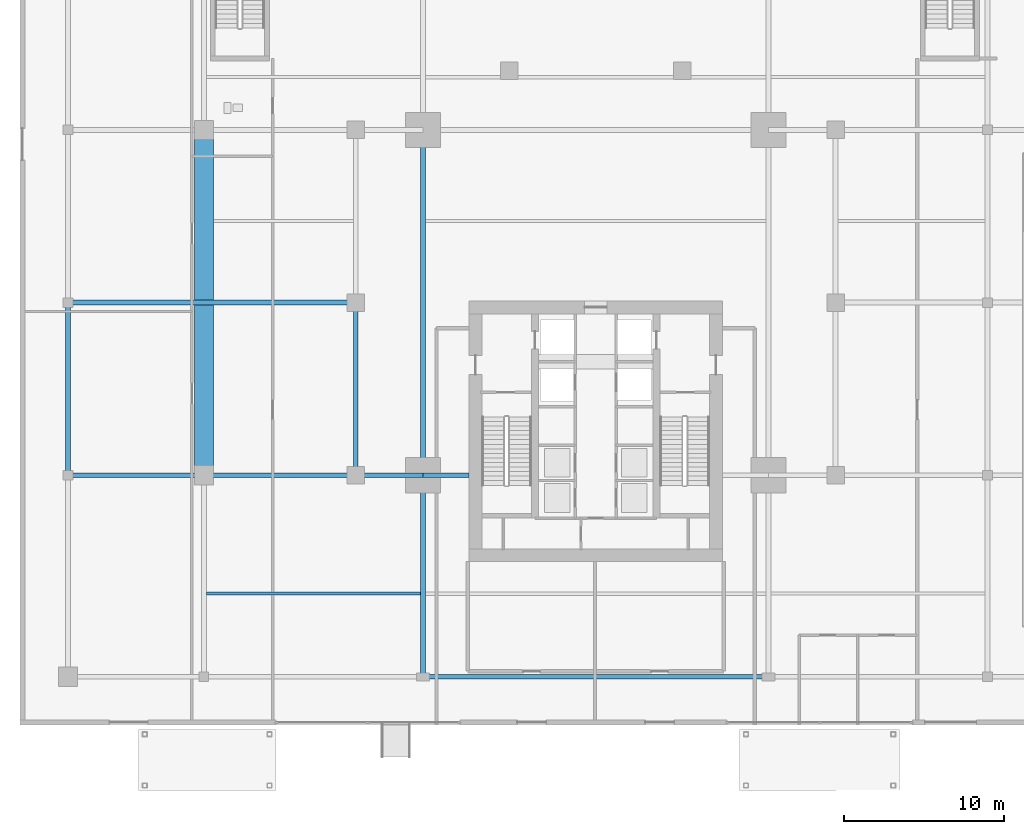
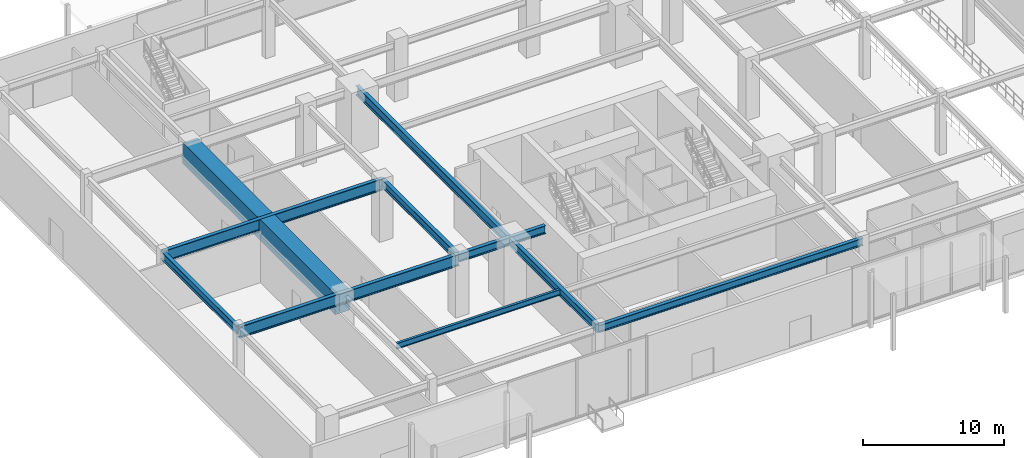
# One storey, part 9 of 28: 11 beams.
"""IFC4 building model written with IfcOpenShell, lengths in metres."""

from ifc_helpers import new_model, si_unit, direction, frame, origin, origin_2d, place, context, subcontext, project, spatial, rectangle, i_section, extrude, source, transform, mapped, material, material_profile, profile_set, type_object, type_shapes, element, save


model = new_model("IFC4")

# Units and contexts
model_context = context("Model", 3, precision=1e-05, world=origin(), true_north=direction((0.0, 1.0)))
body_context = subcontext(model_context, "Body", "Model", "MODEL_VIEW")
ifc_project = project(units=[si_unit("LENGTHUNIT", "METRE"), si_unit("AREAUNIT", "SQUARE_METRE"), si_unit("VOLUMEUNIT", "CUBIC_METRE"), si_unit("PLANEANGLEUNIT", "RADIAN"), si_unit("MASSUNIT", "GRAM", prefix="KILO")], contexts=[model_context])

# Site, building, storey
site_placement = place(None, origin())
site = spatial("IfcSite", under=ifc_project, at=site_placement, CompositionType="ELEMENT")
building_placement = place(site_placement, origin())
building = spatial("IfcBuilding", under=site, at=building_placement, Name="Krantzveldt Concourse Tower", CompositionType="ELEMENT")
storey_placement = place(building_placement, origin())
storey = spatial("IfcBuildingStorey", under=building, at=storey_placement, Name="L00", CompositionType="ELEMENT", Elevation=0.0)

# Beams
ifc_material_1 = material(Name="Steel S355J2", Category="steel")
ifc_material_profile_1 = material_profile(ifc_material_1, i_section(OverallWidth=0.300048828125, OverallDepth=0.800048828125, WebThickness=0.017578125, FlangeThickness=0.032958984375, FilletRadius=0.030029296875, at=origin_2d()), Name="Steel S355J2", Category="steel")
ifc_profile_set_1 = profile_set([ifc_material_profile_1], Name="Steel S355J2 - HEB 800")
beam_type_1 = type_object("IfcBeamType", Name="BM-B-HEB800", PredefinedType="BEAM", material=ifc_profile_set_1)
shared_shape_1 = source(origin(), body_context, "Body", "SweptSolid", [
    extrude(i_section(OverallWidth=0.300048828125, OverallDepth=0.800048828125, WebThickness=0.017578125, FlangeThickness=0.032958984375, FilletRadius=0.030029296875, at=origin_2d()), origin(), (0.0, 0.0, 1.0), 21.60009765625),
])
type_shapes(beam_type_1, [shared_shape_1])
beam_1_placement = place(storey_placement, frame((25.199951171875, 15.89990234375, 4.699951171875), z_axis=(0.0, 1.0, 0.0), x_axis=(-1.0, 0.0, 0.0)))
element("IfcBeam", 1, at=beam_1_placement, inside=storey, type_object=beam_type_1, Name="L00 Podium Primary Girder BG-MW", PredefinedType="BEAM", context=body_context, shape_type="MappedRepresentation", body=[
    mapped(shared_shape_1, transform((0.0, 0.0, 0.0), x_axis=(1.0, 0.0, 0.0), y_axis=(0.0, 1.0, 0.0), z_axis=(0.0, 0.0, 1.0), scale=1.0)),
])
ifc_material_2 = material(Name="Steel S355JR", Category="steel")
ifc_material_profile_2 = material_profile(ifc_material_2, i_section(OverallWidth=0.300048828125, OverallDepth=0.68994140625, WebThickness=0.014404296875, FlangeThickness=0.027099609375, FilletRadius=0.027099609375, at=origin_2d()), Name="Steel S355JR", Category="steel")
ifc_profile_set_2 = profile_set([ifc_material_profile_2], Name="Steel S355JR - HEA 700")
beam_type_2 = type_object("IfcBeamType", Name="BM-B-HEA700", PredefinedType="BEAM", material=ifc_profile_set_2)
shared_shape_2 = source(origin(), body_context, "Body", "SweptSolid", [
    extrude(i_section(OverallWidth=0.300048828125, OverallDepth=0.68994140625, WebThickness=0.014404296875, FlangeThickness=0.027099609375, FilletRadius=0.027099609375, at=origin_2d()), origin(), (0.0, 0.0, 1.0), 10.800048828125),
])
for number, where, z_axis, x_axis, name in (
    (2, (21.0, 15.89990234375, 4.7548828125), (0.0, 1.0, 0.0), (-1.0, 0.0, 0.0), "L00 Podium Primary Girder BG-RW1"),
    (3, (3.0, 15.89990234375, 4.7548828125), (0.0, 1.0, 0.0), (-1.0, 0.0, 0.0), "L00 Podium Primary Girder BG-OW2"),
):
    element("IfcBeam", number, at=place(storey_placement, frame(where, z_axis=z_axis, x_axis=x_axis)), inside=storey, type_object=beam_type_2, Name=name, PredefinedType="BEAM", context=body_context, shape_type="MappedRepresentation", body=[
        mapped(shared_shape_2, transform((0.0, 0.0, 0.0), x_axis=(1.0, 0.0, 0.0), y_axis=(0.0, 1.0, 0.0), z_axis=(0.0, 0.0, 1.0), scale=1.0)),
    ])
ifc_material_profile_3 = material_profile(ifc_material_1, i_section(OverallWidth=0.300048828125, OverallDepth=0.699951171875, WebThickness=0.01708984375, FlangeThickness=0.031982421875, FilletRadius=0.027099609375, at=origin_2d()), Name="Steel S355J2", Category="steel")
ifc_profile_set_3 = profile_set([ifc_material_profile_3], Name="Steel S355J2 - HEB 700")
beam_type_3 = type_object("IfcBeamType", Name="BM-B-HEB700", PredefinedType="BEAM", material=ifc_profile_set_3)
shared_shape_3 = source(origin(), body_context, "Body", "SweptSolid", [
    extrude(i_section(OverallWidth=0.300048828125, OverallDepth=0.699951171875, WebThickness=0.01708984375, FlangeThickness=0.031982421875, FilletRadius=0.027099609375, at=origin_2d()), origin(), (0.0, 0.0, 1.0), 4.199951171875),
])
beam_2_placement = place(storey_placement, frame((21.0, 15.89990234375, 4.75), z_axis=(1.0, 0.0, 0.0), x_axis=(0.0, 1.0, 0.0)))
element("IfcBeam", 4, at=beam_2_placement, inside=storey, type_object=beam_type_3, Name="L00 Podium Primary Girder BG-RL1", PredefinedType="BEAM", context=body_context, shape_type="MappedRepresentation", body=[
    mapped(shared_shape_3, transform((0.0, 0.0, 0.0), x_axis=(1.0, 0.0, 0.0), y_axis=(0.0, 1.0, 0.0), z_axis=(0.0, 0.0, 1.0), scale=1.0)),
])
shared_shape_4 = source(origin(), body_context, "Body", "SweptSolid", [
    extrude(i_section(OverallWidth=0.300048828125, OverallDepth=0.699951171875, WebThickness=0.01708984375, FlangeThickness=0.031982421875, FilletRadius=0.027099609375, at=origin_2d()), origin(), (0.0, 0.0, 1.0), 2.880126953125),
])
type_shapes(beam_type_3, [shared_shape_3, shared_shape_4])
beam_3_placement = place(storey_placement, frame((25.199951171875, 15.89990234375, 4.75), z_axis=(1.0, 0.0, 0.0), x_axis=(0.0, 1.0, 0.0)))
element("IfcBeam", 5, at=beam_3_placement, inside=storey, type_object=beam_type_3, Name="L00 Podium Primary Girder BG-CW", PredefinedType="BEAM", context=body_context, shape_type="MappedRepresentation", body=[
    mapped(shared_shape_4, transform((0.0, 0.0, 0.0), x_axis=(1.0, 0.0, 0.0), y_axis=(0.0, 1.0, 0.0), z_axis=(0.0, 0.0, 1.0), scale=1.0)),
])
shared_shape_5 = source(origin(), body_context, "Body", "SweptSolid", [
    extrude(i_section(OverallWidth=0.300048828125, OverallDepth=0.68994140625, WebThickness=0.014404296875, FlangeThickness=0.027099609375, FilletRadius=0.027099609375, at=origin_2d()), origin(), (0.0, 0.0, 1.0), 12.599853515625),
])
type_shapes(beam_type_2, [shared_shape_2, shared_shape_5])
beam_4_placement = place(storey_placement, frame((25.199951171875, 3.300048828125, 4.7548828125), z_axis=(0.0, 1.0, 0.0), x_axis=(-1.0, 0.0, 0.0)))
element("IfcBeam", 6, at=beam_4_placement, inside=storey, type_object=beam_type_2, Name="L00 Podium Primary Girder BG-PS1", PredefinedType="BEAM", context=body_context, shape_type="MappedRepresentation", body=[
    mapped(shared_shape_5, transform((0.0, 0.0, 0.0), x_axis=(1.0, 0.0, 0.0), y_axis=(0.0, 1.0, 0.0), z_axis=(0.0, 0.0, 1.0), scale=1.0)),
])
ifc_material_profile_4 = material_profile(ifc_material_2, i_section(OverallWidth=0.300048828125, OverallDepth=0.639892578125, WebThickness=0.013427734375, FlangeThickness=0.02587890625, FilletRadius=0.027099609375, at=origin_2d()), Name="Steel S355JR", Category="steel")
ifc_profile_set_4 = profile_set([ifc_material_profile_4], Name="Steel S355JR - HEA 650")
beam_type_4 = type_object("IfcBeamType", Name="BM-B-HEA650", PredefinedType="BEAM", material=ifc_profile_set_4)
shared_shape_6 = source(origin(), body_context, "Body", "SweptSolid", [
    extrude(i_section(OverallWidth=0.300048828125, OverallDepth=0.639892578125, WebThickness=0.013427734375, FlangeThickness=0.02587890625, FilletRadius=0.027099609375, at=origin_2d()), origin(), (0.0, 0.0, 1.0), 21.60009765625),
])
type_shapes(beam_type_4, [shared_shape_6])
beam_5_placement = place(storey_placement, frame((25.199951171875, 3.300048828125, 4.780029296875), z_axis=(1.0, 0.0, 0.0), x_axis=(0.0, 1.0, 0.0)))
element("IfcBeam", 7, at=beam_5_placement, inside=storey, type_object=beam_type_4, Name="L00 Podium Primary Girder BG-SN2", PredefinedType="BEAM", context=body_context, shape_type="MappedRepresentation", body=[
    mapped(shared_shape_6, transform((0.0, 0.0, 0.0), x_axis=(1.0, 0.0, 0.0), y_axis=(0.0, 1.0, 0.0), z_axis=(0.0, 0.0, 1.0), scale=1.0)),
])
ifc_material_3 = material(Name="Concrete C60/75", Category="concrete")
ifc_material_profile_5 = material_profile(ifc_material_3, rectangle(XDim=1.199951171875, YDim=1.800048828125, at=origin_2d()), Name="Concrete C60/75", Category="concrete")
ifc_profile_set_5 = profile_set([ifc_material_profile_5], Name="Concrete C60/75 - RC-TB 1200x1800")
beam_type_5 = type_object("IfcBeamType", Name="BM-RCTB-1800", PredefinedType="USERDEFINED", material=ifc_profile_set_5)
shared_shape_7 = source(origin(), body_context, "Body", "SweptSolid", [
    extrude(rectangle(XDim=1.199951171875, YDim=1.800048828125, at=origin_2d()), origin(), (0.0, 0.0, 1.0), 21.60009765625),
])
type_shapes(beam_type_5, [shared_shape_7])
beam_6_placement = place(storey_placement, frame((11.5, 15.89990234375, 4.199951171875), z_axis=(0.0, 1.0, 0.0), x_axis=(-1.0, 0.0, 0.0)))
element("IfcBeam", 8, at=beam_6_placement, inside=storey, type_object=beam_type_5, Name="L00 Podium Primary Girder BG-IW-2", ObjectType="TRANSFER GIRDER", PredefinedType="USERDEFINED", context=body_context, shape_type="MappedRepresentation", body=[
    mapped(shared_shape_7, transform((0.0, 0.0, 0.0), x_axis=(1.0, 0.0, 0.0), y_axis=(0.0, 1.0, 0.0), z_axis=(0.0, 0.0, 1.0), scale=1.0)),
])
ifc_material_profile_6 = material_profile(ifc_material_1, i_section(OverallWidth=0.300048828125, OverallDepth=1.0, WebThickness=0.01904296875, FlangeThickness=0.035888671875, FilletRadius=0.030029296875, at=origin_2d()), Name="Steel S355J2", Category="steel")
ifc_profile_set_6 = profile_set([ifc_material_profile_6], Name="Steel S355J2 - HEB 1000")
beam_type_6 = type_object("IfcBeamType", Name="BM-B-HEB1000", PredefinedType="BEAM", material=ifc_profile_set_6)
shared_shape_8 = source(origin(), body_context, "Body", "SweptSolid", [
    extrude(i_section(OverallWidth=0.300048828125, OverallDepth=1.0, WebThickness=0.01904296875, FlangeThickness=0.035888671875, FilletRadius=0.030029296875, at=origin_2d()), origin(), (0.0, 0.0, 1.0), 18.0),
])
type_shapes(beam_type_6, [shared_shape_8])
for number, where, z_axis, x_axis, name in (
    (9, (3.0, 15.89990234375, 4.60009765625), (1.0, 0.0, 0.0), (0.0, 1.0, 0.0), "L00 Podium Primary Girder BG-AUD-1"),
    (10, (3.0, 26.699951171875, 4.60009765625), (1.0, 0.0, 0.0), (0.0, 1.0, 0.0), "L00 Podium Primary Girder BG-AUD-2"),
):
    element("IfcBeam", number, at=place(storey_placement, frame(where, z_axis=z_axis, x_axis=x_axis)), inside=storey, type_object=beam_type_6, Name=name, PredefinedType="BEAM", context=body_context, shape_type="MappedRepresentation", body=[
        mapped(shared_shape_8, transform((0.0, 0.0, 0.0), x_axis=(1.0, 0.0, 0.0), y_axis=(0.0, 1.0, 0.0), z_axis=(0.0, 0.0, 1.0), scale=1.0)),
    ])
ifc_material_profile_7 = material_profile(ifc_material_2, i_section(OverallWidth=0.199951171875, OverallDepth=0.5, WebThickness=0.01025390625, FlangeThickness=0.01611328125, FilletRadius=0.02099609375, at=origin_2d()), Name="Steel S355JR", Category="steel")
ifc_profile_set_7 = profile_set([ifc_material_profile_7], Name="Steel S355JR - IPE 500")
beam_type_7 = type_object("IfcBeamType", Name="BM-J-IPE500", PredefinedType="JOIST", material=ifc_profile_set_7)
shared_shape_9 = source(origin(), body_context, "Body", "SweptSolid", [
    extrude(i_section(OverallWidth=0.199951171875, OverallDepth=0.5, WebThickness=0.01025390625, FlangeThickness=0.01611328125, FilletRadius=0.02099609375, at=origin_2d()), origin(), (0.0, 0.0, 1.0), 13.400146484375),
])
type_shapes(beam_type_7, [shared_shape_9])
beam_7_placement = place(storey_placement, frame((11.64990234375, 8.5, 4.85009765625), z_axis=(1.0, 0.0, 0.0), x_axis=(0.0, 1.0, 0.0)))
element("IfcBeam", 11, at=beam_7_placement, inside=storey, type_object=beam_type_7, Name="L00 West Inner Joist 1", PredefinedType="JOIST", context=body_context, shape_type="MappedRepresentation", body=[
    mapped(shared_shape_9, transform((0.0, 0.0, 0.0), x_axis=(1.0, 0.0, 0.0), y_axis=(0.0, 1.0, 0.0), z_axis=(0.0, 0.0, 1.0), scale=1.0)),
])

save(model, "model.ifc")
